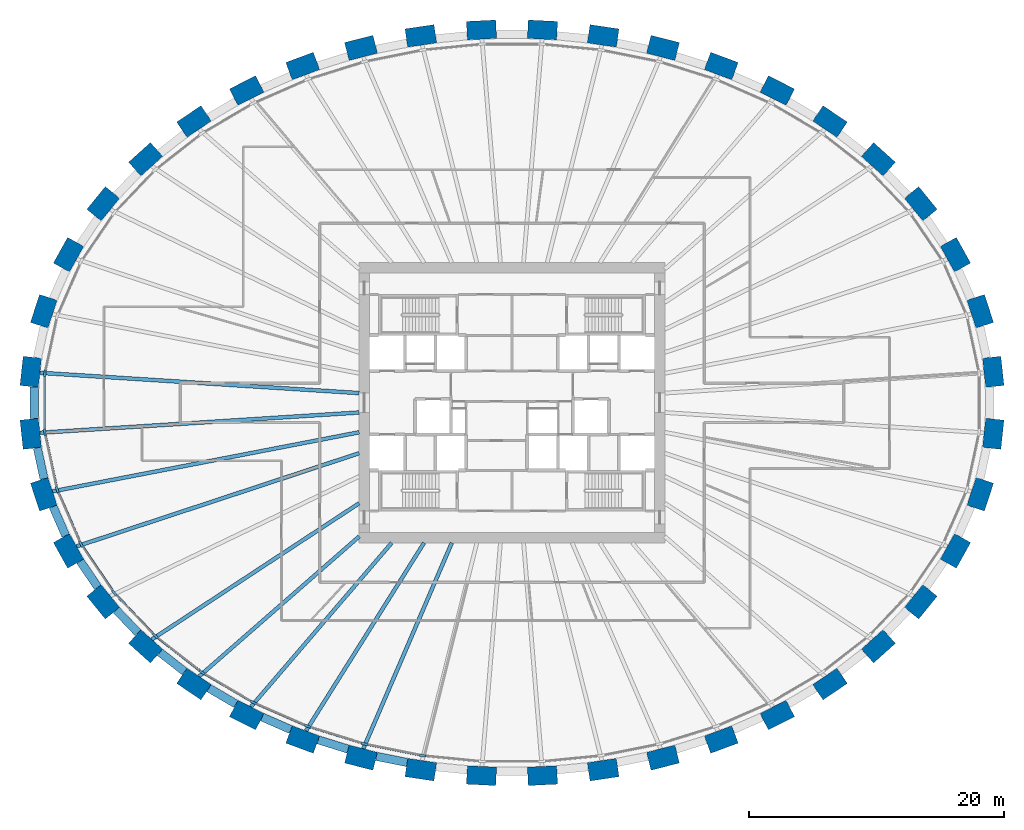
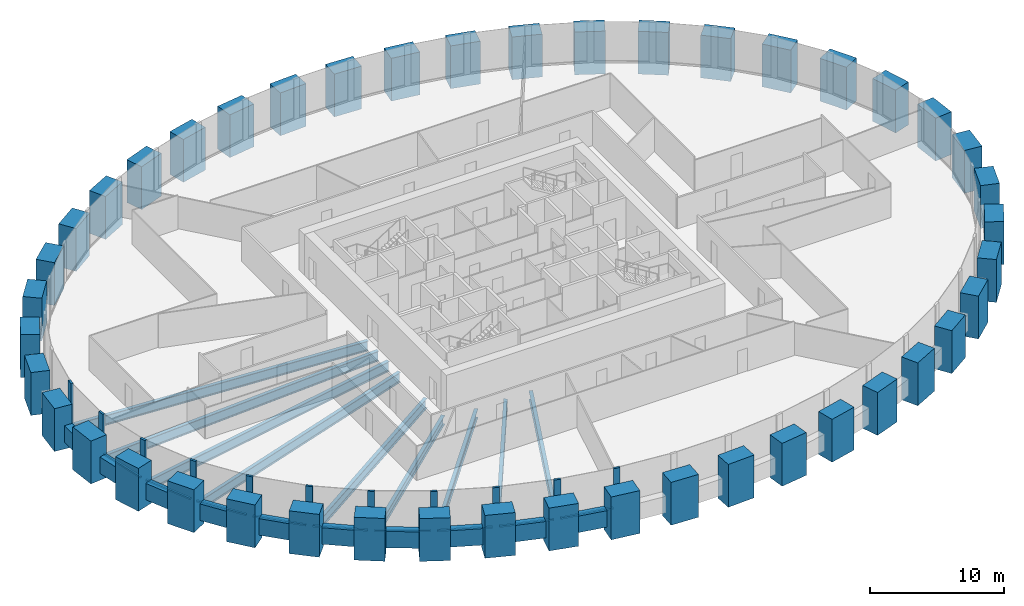
# One storey, part 1 of 10: 44 columns, 21 members, 19 beams, 1 element without a shape of its own.
"""IFC4 building model written with IfcOpenShell, lengths in metres."""

from ifc_helpers import new_model, si_unit, direction, frame, origin, origin_2d, place, context, subcontext, project, spatial, rectangle, i_section, extrude, source, transform, mapped, material, material_profile, profile_set, type_object, element, aggregate, save


model = new_model("IFC4")

# Units and contexts
model_context = context("Model", 3, precision=1e-05, world=origin(), true_north=direction((0.0, 1.0)))
body_context = subcontext(model_context, "Body", "Model", "MODEL_VIEW")
ifc_project = project(units=[si_unit("LENGTHUNIT", "METRE"), si_unit("AREAUNIT", "SQUARE_METRE"), si_unit("VOLUMEUNIT", "CUBIC_METRE"), si_unit("PLANEANGLEUNIT", "RADIAN"), si_unit("MASSUNIT", "GRAM", prefix="KILO")], contexts=[model_context])

# Site, building, storey
site_placement = place(None, origin())
site = spatial("IfcSite", under=ifc_project, at=site_placement, CompositionType="ELEMENT")
building_placement = place(site_placement, origin())
building = spatial("IfcBuilding", under=site, at=building_placement, Name="Embergate Tower", CompositionType="ELEMENT")
storey_placement = place(building_placement, frame((0.0, 0.0, 156.0)))
storey = spatial("IfcBuildingStorey", under=building, at=storey_placement, Name="L34", CompositionType="ELEMENT", Elevation=156.0)

# Columns
ifc_material_1 = material(Name="Concrete C70", Category="concrete")
ifc_material_profile_1 = material_profile(ifc_material_1, rectangle(XDim=1.449951171875, YDim=2.300048828125, at=origin_2d()), Name="RC 1450x2300")
ifc_profile_set_1 = profile_set([ifc_material_profile_1], Name="Concrete C70")
column_type = type_object("IfcColumnType", Name="Ring column RC 1450x2300 C70", PredefinedType="COLUMN", material=ifc_profile_set_1)
shared_shape_1 = source(origin(), body_context, "Body", "SweptSolid", [
    extrude(rectangle(XDim=1.449951171875, YDim=2.300048828125, at=origin_2d()), origin(), (0.0, 0.0, 1.0), 3.89990234375),
])
for number, where, z_axis, x_axis, name in (
    (1, (37.7919921875, 2.431884765625, -1.39990234375), (0.0, 0.0, 1.0), (0.99428589498, 0.106749983816, 0.0), "COL-L34-00"),
    (2, (36.76904296875, 7.18408203125, -1.39990234375), (0.0, 0.0, 1.0), (0.950754033697, 0.309946394413, 0.0), "COL-L34-01"),
    (3, (34.821044921875, 11.6279296875, -1.39990234375), (0.0, 0.0, 1.0), (0.873491969053, 0.486838556403, 0.0), "COL-L34-02"),
    (4, (32.10009765625, 15.62890625, -1.39990234375), (0.0, 0.0, 1.0), (0.775914301615, 0.630838328377, 0.0), "COL-L34-03"),
    (5, (28.76904296875, 19.1220703125, -1.39990234375), (0.0, 0.0, 1.0), (0.669208424634, 0.74307475021, 0.0), "COL-L34-04"),
    (6, (24.972900390625, 22.0849609375, -1.39990234375), (0.0, 0.0, 1.0), (0.560393279442, 0.828226643109, 0.0), "COL-L34-05"),
    (7, (20.830078125, 24.52099609375, -1.39990234375), (0.0, 0.0, 1.0), (0.452994952881, 0.891513080478, 0.0), "COL-L34-06"),
    (8, (16.43310546875, 26.444091796875, -1.39990234375), (0.0, 0.0, 1.0), (0.348343015724, 0.93736713373, 0.0), "COL-L34-07"),
    (9, (11.85595703125, 27.868896484375, -1.39990234375), (0.0, 0.0, 1.0), (0.246491603437, 0.969144926951, 0.0), "COL-L34-08"),
    (10, (7.158935546875, 28.81103515625, -1.39990234375), (0.0, 0.0, 1.0), (0.146929011949, 0.989147039346, 0.0), "COL-L34-09"),
    (11, (2.39404296875, 29.280029296875, -1.39990234375), (0.0, 0.0, 1.0), (0.048814904854, 0.998807841912, 0.0), "COL-L34-10"),
    (12, (-2.39404296875, 29.280029296875, -1.39990234375), (0.0, 0.0, 1.0), (-0.048814904854, 0.998807841912, 0.0), "COL-L34-11"),
    (13, (-7.158935546875, 28.81103515625, -1.39990234375), (0.0, 0.0, 1.0), (-0.146929011949, 0.989147039346, 0.0), "COL-L34-12"),
    (14, (-11.85595703125, 27.868896484375, -1.39990234375), (0.0, 0.0, 1.0), (-0.246491603437, 0.969144926951, 0.0), "COL-L34-13"),
    (15, (-16.43310546875, 26.444091796875, -1.39990234375), (0.0, 0.0, 1.0), (-0.348343015724, 0.93736713373, 0.0), "COL-L34-14"),
    (16, (-20.830078125, 24.52099609375, -1.39990234375), (0.0, 0.0, 1.0), (-0.452994952881, 0.891513080478, 0.0), "COL-L34-15"),
    (17, (-24.972900390625, 22.0849609375, -1.39990234375), (0.0, 0.0, 1.0), (-0.560393279442, 0.828226643109, 0.0), "COL-L34-16"),
    (18, (-28.76904296875, 19.1220703125, -1.39990234375), (0.0, 0.0, 1.0), (-0.669208424634, 0.74307475021, 0.0), "COL-L34-17"),
    (19, (-32.10009765625, 15.62890625, -1.39990234375), (0.0, 0.0, 1.0), (-0.775914301615, 0.630838328377, 0.0), "COL-L34-18"),
    (20, (-34.821044921875, 11.6279296875, -1.39990234375), (0.0, 0.0, 1.0), (-0.873491969053, 0.486838556403, 0.0), "COL-L34-19"),
    (21, (-36.76904296875, 7.18408203125, -1.39990234375), (0.0, 0.0, 1.0), (-0.950754033697, 0.309946394413, 0.0), "COL-L34-20"),
    (22, (-37.7919921875, 2.431884765625, -1.39990234375), (0.0, 0.0, 1.0), (-0.99428589498, 0.106749983816, 0.0), "COL-L34-21"),
    (23, (-37.7919921875, -2.431884765625, -1.39990234375), (0.0, 0.0, 1.0), (-0.99428589498, -0.106749983816, 0.0), "COL-L34-22"),
    (24, (-36.76904296875, -7.18408203125, -1.39990234375), (0.0, 0.0, 1.0), (-0.950754033697, -0.309946394413, 0.0), "COL-L34-23"),
    (25, (-34.821044921875, -11.6279296875, -1.39990234375), (0.0, 0.0, 1.0), (-0.873491969053, -0.486838556403, 0.0), "COL-L34-24"),
    (26, (-32.10009765625, -15.62890625, -1.39990234375), (0.0, 0.0, 1.0), (-0.775914301615, -0.630838328377, 0.0), "COL-L34-25"),
    (27, (-28.76904296875, -19.1220703125, -1.39990234375), (0.0, 0.0, 1.0), (-0.669208424634, -0.74307475021, 0.0), "COL-L34-26"),
    (28, (-24.972900390625, -22.0849609375, -1.39990234375), (0.0, 0.0, 1.0), (-0.560393279442, -0.828226643109, 0.0), "COL-L34-27"),
    (29, (-20.830078125, -24.52099609375, -1.39990234375), (0.0, 0.0, 1.0), (-0.452994952881, -0.891513080478, 0.0), "COL-L34-28"),
    (30, (-16.43310546875, -26.444091796875, -1.39990234375), (0.0, 0.0, 1.0), (-0.348343015724, -0.93736713373, 0.0), "COL-L34-29"),
    (31, (-11.85595703125, -27.868896484375, -1.39990234375), (0.0, 0.0, 1.0), (-0.246491603437, -0.969144926951, 0.0), "COL-L34-30"),
    (32, (-7.158935546875, -28.81103515625, -1.39990234375), (0.0, 0.0, 1.0), (-0.146929011949, -0.989147039346, 0.0), "COL-L34-31"),
    (33, (-2.39404296875, -29.280029296875, -1.39990234375), (0.0, 0.0, 1.0), (-0.048814904854, -0.998807841912, 0.0), "COL-L34-32"),
    (34, (2.39404296875, -29.280029296875, -1.39990234375), (0.0, 0.0, 1.0), (0.048814904854, -0.998807841912, 0.0), "COL-L34-33"),
    (35, (7.158935546875, -28.81103515625, -1.39990234375), (0.0, 0.0, 1.0), (0.146929011949, -0.989147039346, 0.0), "COL-L34-34"),
    (36, (11.85595703125, -27.868896484375, -1.39990234375), (0.0, 0.0, 1.0), (0.246491603437, -0.969144926951, 0.0), "COL-L34-35"),
    (37, (16.43310546875, -26.444091796875, -1.39990234375), (0.0, 0.0, 1.0), (0.348343015724, -0.93736713373, 0.0), "COL-L34-36"),
    (38, (20.830078125, -24.52099609375, -1.39990234375), (0.0, 0.0, 1.0), (0.452994952881, -0.891513080478, 0.0), "COL-L34-37"),
    (39, (24.972900390625, -22.0849609375, -1.39990234375), (0.0, 0.0, 1.0), (0.560393279442, -0.828226643109, 0.0), "COL-L34-38"),
    (40, (28.76904296875, -19.1220703125, -1.39990234375), (0.0, 0.0, 1.0), (0.669208424634, -0.74307475021, 0.0), "COL-L34-39"),
    (41, (32.10009765625, -15.62890625, -1.39990234375), (0.0, 0.0, 1.0), (0.775914301615, -0.630838328377, 0.0), "COL-L34-40"),
    (42, (34.821044921875, -11.6279296875, -1.39990234375), (0.0, 0.0, 1.0), (0.873491969053, -0.486838556403, 0.0), "COL-L34-41"),
    (43, (36.76904296875, -7.18408203125, -1.39990234375), (0.0, 0.0, 1.0), (0.950754033697, -0.309946394413, 0.0), "COL-L34-42"),
    (44, (37.7919921875, -2.431884765625, -1.39990234375), (0.0, 0.0, 1.0), (0.99428589498, -0.106749983816, 0.0), "COL-L34-43"),
):
    element("IfcColumn", number, at=place(storey_placement, frame(where, z_axis=z_axis, x_axis=x_axis)), inside=storey, type_object=column_type, Name=name, PredefinedType="COLUMN", context=body_context, shape_type="MappedRepresentation", body=[
        mapped(shared_shape_1, transform((0.0, 0.0, 0.0))),
    ])

# Beams
ifc_material_profile_2 = material_profile(ifc_material_1, rectangle(XDim=0.64990234375, YDim=1.5, at=origin_2d()), Name="RC 650x1500")
ifc_profile_set_2 = profile_set([ifc_material_profile_2], Name="Concrete C70")
beam_type_1 = type_object("IfcBeamType", Name="Spandrel beam RC 650x1500 C70", PredefinedType="BEAM", material=ifc_profile_set_2)
shared_shape_2 = source(origin(), body_context, "Body", "SweptSolid", [
    extrude(rectangle(XDim=0.64990234375, YDim=1.5, at=origin_2d()), origin(), (0.0, 0.0, 1.0), 2.490966796875),
])
beam_1_placement = place(storey_placement, frame((-37.27294921875, -3.532958984375, 0.0), z_axis=(0.210720345789, -0.977546385534, 0.0), x_axis=(0.977546385534, 0.210720345789, 0.0)))
element("IfcBeam", 45, at=beam_1_placement, inside=storey, type_object=beam_type_1, Name="SPN-L34-22", PredefinedType="BEAM", context=body_context, shape_type="MappedRepresentation", body=[
    mapped(shared_shape_2, transform((0.0, 0.0, 0.0))),
])
shared_shape_3 = source(origin(), body_context, "Body", "SweptSolid", [
    extrude(rectangle(XDim=0.64990234375, YDim=1.5, at=origin_2d()), origin(), (0.0, 0.0, 1.0), 2.48828125),
])
beam_2_placement = place(storey_placement, frame((-36.041015625, -8.156005859375, 0.0), z_axis=(0.401472379967, -0.91587113074, 0.0), x_axis=(0.91587113074, 0.401472379967, 0.0)))
element("IfcBeam", 46, at=beam_2_placement, inside=storey, type_object=beam_type_1, Name="SPN-L34-23", PredefinedType="BEAM", context=body_context, shape_type="MappedRepresentation", body=[
    mapped(shared_shape_3, transform((0.0, 0.0, 0.0))),
])
shared_shape_4 = source(origin(), body_context, "Body", "SweptSolid", [
    extrude(rectangle(XDim=0.64990234375, YDim=1.5, at=origin_2d()), origin(), (0.0, 0.0, 1.0), 2.4775390625),
])
beam_3_placement = place(storey_placement, frame((-33.910888671875, -12.43701171875, 0.0), z_axis=(0.562159078618, -0.827029123022, 0.0), x_axis=(0.827029123022, 0.562159078618, 0.0)))
element("IfcBeam", 47, at=beam_3_placement, inside=storey, type_object=beam_type_1, Name="SPN-L34-24", PredefinedType="BEAM", context=body_context, shape_type="MappedRepresentation", body=[
    mapped(shared_shape_4, transform((0.0, 0.0, 0.0))),
])
shared_shape_5 = source(origin(), body_context, "Body", "SweptSolid", [
    extrude(rectangle(XDim=0.64990234375, YDim=1.5, at=origin_2d()), origin(), (0.0, 0.0, 1.0), 2.473388671875),
])
beam_4_placement = place(storey_placement, frame((-31.072021484375, -16.27490234375, 0.0), z_axis=(0.69012823406, -0.723687101276, 0.0), x_axis=(0.723687101276, 0.69012823406, 0.0)))
element("IfcBeam", 48, at=beam_4_placement, inside=storey, type_object=beam_type_1, Name="SPN-L34-25", PredefinedType="BEAM", context=body_context, shape_type="MappedRepresentation", body=[
    mapped(shared_shape_5, transform((0.0, 0.0, 0.0))),
])
shared_shape_6 = source(origin(), body_context, "Body", "SweptSolid", [
    extrude(rectangle(XDim=0.64990234375, YDim=1.5, at=origin_2d()), origin(), (0.0, 0.0, 1.0), 2.466552734375),
])
beam_5_placement = place(storey_placement, frame((-27.64697265625, -19.593994140625, 0.0), z_axis=(0.788172909908, -0.615453868367, 0.0), x_axis=(0.615453868367, 0.788172909908, 0.0)))
element("IfcBeam", 49, at=beam_5_placement, inside=storey, type_object=beam_type_1, Name="SPN-L34-26", PredefinedType="BEAM", context=body_context, shape_type="MappedRepresentation", body=[
    mapped(shared_shape_6, transform((0.0, 0.0, 0.0))),
])
shared_shape_7 = source(origin(), body_context, "Body", "SweptSolid", [
    extrude(rectangle(XDim=0.64990234375, YDim=1.5, at=origin_2d()), origin(), (0.0, 0.0, 1.0), 2.46142578125),
])
beam_6_placement = place(storey_placement, frame((-23.801025390625, -22.405029296875, 0.0), z_axis=(0.86214832468, -0.506655964389, 0.0), x_axis=(0.506655964389, 0.86214832468, 0.0)))
element("IfcBeam", 50, at=beam_6_placement, inside=storey, type_object=beam_type_1, Name="SPN-L34-27", PredefinedType="BEAM", context=body_context, shape_type="MappedRepresentation", body=[
    mapped(shared_shape_7, transform((0.0, 0.0, 0.0))),
])
shared_shape_8 = source(origin(), body_context, "Body", "SweptSolid", [
    extrude(rectangle(XDim=0.64990234375, YDim=1.5, at=origin_2d()), origin(), (0.0, 0.0, 1.0), 2.456787109375),
])
beam_7_placement = place(storey_placement, frame((-19.62109375, -24.679931640625, 0.0), z_axis=(0.916257660854, -0.40058943936, 0.0), x_axis=(0.40058943936, 0.916257660854, 0.0)))
element("IfcBeam", 51, at=beam_7_placement, inside=storey, type_object=beam_type_1, Name="SPN-L34-28", PredefinedType="BEAM", context=body_context, shape_type="MappedRepresentation", body=[
    mapped(shared_shape_8, transform((0.0, 0.0, 0.0))),
])
shared_shape_9 = source(origin(), body_context, "Body", "SweptSolid", [
    extrude(rectangle(XDim=0.64990234375, YDim=1.5, at=origin_2d()), origin(), (0.0, 0.0, 1.0), 2.4541015625),
])
beam_8_placement = place(storey_placement, frame((-15.215087890625, -26.468017578125, 0.0), z_axis=(0.954736297307, -0.29745353016, 0.0), x_axis=(0.29745353016, 0.954736297307, 0.0)))
element("IfcBeam", 52, at=beam_8_placement, inside=storey, type_object=beam_type_1, Name="SPN-L34-29", PredefinedType="BEAM", context=body_context, shape_type="MappedRepresentation", body=[
    mapped(shared_shape_9, transform((0.0, 0.0, 0.0))),
])
shared_shape_10 = source(origin(), body_context, "Body", "SweptSolid", [
    extrude(rectangle(XDim=0.64990234375, YDim=1.5, at=origin_2d()), origin(), (0.0, 0.0, 1.0), 2.453125),
])
beam_9_placement = place(storey_placement, frame((-10.64306640625, -27.76611328125, 0.0), z_axis=(0.980431102511, -0.196862523679, 0.0), x_axis=(0.196862523679, 0.980431102511, 0.0)))
element("IfcBeam", 53, at=beam_9_placement, inside=storey, type_object=beam_type_1, Name="SPN-L34-30", PredefinedType="BEAM", context=body_context, shape_type="MappedRepresentation", body=[
    mapped(shared_shape_10, transform((0.0, 0.0, 0.0))),
])
shared_shape_11 = source(origin(), body_context, "Body", "SweptSolid", [
    extrude(rectangle(XDim=0.64990234375, YDim=1.5, at=origin_2d()), origin(), (0.0, 0.0, 1.0), 2.4921875),
])
beam_10_placement = place(storey_placement, frame((-37.51611328125, 1.24609375, 0.0), z_axis=(0.0, -1.0, 0.0), x_axis=(1.0, 0.0, 0.0)))
element("IfcBeam", 54, at=beam_10_placement, inside=storey, type_object=beam_type_1, Name="SPN-L34-21", PredefinedType="BEAM", context=body_context, shape_type="MappedRepresentation", body=[
    mapped(shared_shape_11, transform((0.0, 0.0, 0.0))),
])
ifc_material_2 = material(Name="Steel Q355B", Category="steel")
ifc_material_profile_3 = material_profile(ifc_material_2, i_section(OverallWidth=0.300048828125, OverallDepth=0.89990234375, WebThickness=0.01611328125, FlangeThickness=0.028076171875, FilletRadius=0.028076171875, at=origin_2d()), Name="HN 900x300x16x28")
ifc_profile_set_3 = profile_set([ifc_material_profile_3], Name="Steel Q355 grade B")
beam_type_2 = type_object("IfcBeamType", Name="Radial girder HN 900x300x16x28", PredefinedType="BEAM", material=ifc_profile_set_3)
shared_shape_12 = source(origin(), body_context, "Body", "SweptSolid", [
    extrude(i_section(OverallWidth=0.300048828125, OverallDepth=0.89990234375, WebThickness=0.01611328125, FlangeThickness=0.028076171875, FilletRadius=0.028076171875, at=origin_2d()), origin(), (0.0, 0.0, 1.0), 25.12158203125),
])
for number, where, z_axis, x_axis, name in (
    (55, (-37.071044921875, 2.35498046875, -0.64990234375), (0.9979874177, -0.063412255217, 0.0), (0.063412255217, 0.9979874177, 0.0), "GIR-L34-21"),
    (56, (-37.071044921875, -2.35498046875, -0.64990234375), (0.9979874177, 0.063412255217, 0.0), (-0.063412255217, 0.9979874177, 0.0), "GIR-L34-22"),
):
    element("IfcBeam", number, at=place(storey_placement, frame(where, z_axis=z_axis, x_axis=x_axis)), inside=storey, type_object=beam_type_2, Name=name, PredefinedType="BEAM", context=body_context, shape_type="MappedRepresentation", body=[
        mapped(shared_shape_12, transform((0.0, 0.0, 0.0))),
    ])
shared_shape_13 = source(origin(), body_context, "Body", "SweptSolid", [
    extrude(i_section(OverallWidth=0.300048828125, OverallDepth=0.89990234375, WebThickness=0.01611328125, FlangeThickness=0.028076171875, FilletRadius=0.028076171875, at=origin_2d()), origin(), (0.0, 0.0, 1.0), 24.52392578125),
])
beam_11_placement = place(storey_placement, frame((-36.080078125, -6.958984375, -0.64990234375), z_axis=(0.981906046022, 0.189368732333, 0.0), x_axis=(-0.189368732333, 0.981906046022, 0.0)))
element("IfcBeam", 57, at=beam_11_placement, inside=storey, type_object=beam_type_2, Name="GIR-L34-23", PredefinedType="BEAM", context=body_context, shape_type="MappedRepresentation", body=[
    mapped(shared_shape_13, transform((0.0, 0.0, 0.0))),
])
shared_shape_14 = source(origin(), body_context, "Body", "SweptSolid", [
    extrude(i_section(OverallWidth=0.300048828125, OverallDepth=0.89990234375, WebThickness=0.01611328125, FlangeThickness=0.028076171875, FilletRadius=0.028076171875, at=origin_2d()), origin(), (0.0, 0.0, 1.0), 23.36328125),
])
beam_12_placement = place(storey_placement, frame((-34.18798828125, -11.27490234375, -0.64990234375), z_axis=(0.949694119995, 0.313178987877, 0.0), x_axis=(-0.313178987877, 0.949694119995, 0.0)))
element("IfcBeam", 58, at=beam_12_placement, inside=storey, type_object=beam_type_2, Name="GIR-L34-24", PredefinedType="BEAM", context=body_context, shape_type="MappedRepresentation", body=[
    mapped(shared_shape_14, transform((0.0, 0.0, 0.0))),
])
shared_shape_15 = source(origin(), body_context, "Body", "SweptSolid", [
    extrude(i_section(OverallWidth=0.300048828125, OverallDepth=0.89990234375, WebThickness=0.01611328125, FlangeThickness=0.028076171875, FilletRadius=0.028076171875, at=origin_2d()), origin(), (0.0, 0.0, 1.0), 19.484130859375),
])
beam_13_placement = place(storey_placement, frame((-28.283935546875, -18.5830078125, -0.64990234375), z_axis=(0.835750168369, 0.549109876137, 0.0), x_axis=(-0.549109876137, 0.835750168369, 0.0)))
element("IfcBeam", 59, at=beam_13_placement, inside=storey, type_object=beam_type_2, Name="GIR-L34-26", PredefinedType="BEAM", context=body_context, shape_type="MappedRepresentation", body=[
    mapped(shared_shape_15, transform((0.0, 0.0, 0.0))),
])
ifc_material_profile_4 = material_profile(ifc_material_2, i_section(OverallWidth=0.300048828125, OverallDepth=0.800048828125, WebThickness=0.013916015625, FlangeThickness=0.02587890625, FilletRadius=0.028076171875, at=origin_2d()), Name="HN 800x300x14x26")
ifc_profile_set_4 = profile_set([ifc_material_profile_4], Name="Steel Q355 grade B")
beam_type_3 = type_object("IfcBeamType", Name="Radial girder HN 800x300x14x26", PredefinedType="BEAM", material=ifc_profile_set_4)
shared_shape_16 = source(origin(), body_context, "Body", "SweptSolid", [
    extrude(i_section(OverallWidth=0.300048828125, OverallDepth=0.800048828125, WebThickness=0.013916015625, FlangeThickness=0.02587890625, FilletRadius=0.028076171875, at=origin_2d()), origin(), (0.0, 0.0, 1.0), 16.6953125),
])
beam_14_placement = place(storey_placement, frame((-24.56689453125, -21.485107421875, -0.60009765625), z_axis=(0.752719804108, 0.658341018397, 0.0), x_axis=(-0.658341018397, 0.752719804108, 0.0)))
element("IfcBeam", 60, at=beam_14_placement, inside=storey, type_object=beam_type_3, Name="GIR-L34-27", PredefinedType="BEAM", context=body_context, shape_type="MappedRepresentation", body=[
    mapped(shared_shape_16, transform((0.0, 0.0, 0.0))),
])
shared_shape_17 = source(origin(), body_context, "Body", "SweptSolid", [
    extrude(i_section(OverallWidth=0.300048828125, OverallDepth=0.800048828125, WebThickness=0.013916015625, FlangeThickness=0.02587890625, FilletRadius=0.028076171875, at=origin_2d()), origin(), (0.0, 0.0, 1.0), 16.970458984375),
])
beam_15_placement = place(storey_placement, frame((-20.501953125, -23.875, -0.60009765625), z_axis=(0.651477073616, 0.758668321833, 0.0), x_axis=(-0.758668321833, 0.651477073616, 0.0)))
element("IfcBeam", 61, at=beam_15_placement, inside=storey, type_object=beam_type_3, Name="GIR-L34-28", PredefinedType="BEAM", context=body_context, shape_type="MappedRepresentation", body=[
    mapped(shared_shape_17, transform((0.0, 0.0, 0.0))),
])
shared_shape_18 = source(origin(), body_context, "Body", "SweptSolid", [
    extrude(i_section(OverallWidth=0.300048828125, OverallDepth=0.800048828125, WebThickness=0.013916015625, FlangeThickness=0.02587890625, FilletRadius=0.028076171875, at=origin_2d()), origin(), (0.0, 0.0, 1.0), 17.433837890625),
])
beam_16_placement = place(storey_placement, frame((-16.179931640625, -25.763916015625, -0.60009765625), z_axis=(0.531834233156, 0.846848480216, 0.0), x_axis=(-0.846848480216, 0.531834233156, 0.0)))
element("IfcBeam", 62, at=beam_16_placement, inside=storey, type_object=beam_type_3, Name="GIR-L34-29", PredefinedType="BEAM", context=body_context, shape_type="MappedRepresentation", body=[
    mapped(shared_shape_18, transform((0.0, 0.0, 0.0))),
])
shared_shape_19 = source(origin(), body_context, "Body", "SweptSolid", [
    extrude(i_section(OverallWidth=0.300048828125, OverallDepth=0.800048828125, WebThickness=0.013916015625, FlangeThickness=0.02587890625, FilletRadius=0.028076171875, at=origin_2d()), origin(), (0.0, 0.0, 1.0), 17.59619140625),
])
beam_17_placement = place(storey_placement, frame((-11.677001953125, -27.166015625, -0.60009765625), z_axis=(0.394912057755, 0.918718926898, 0.0), x_axis=(-0.918718926898, 0.394912057755, 0.0)))
element("IfcBeam", 63, at=beam_17_placement, inside=storey, type_object=beam_type_3, Name="GIR-L34-30", PredefinedType="BEAM", context=body_context, shape_type="MappedRepresentation", body=[
    mapped(shared_shape_19, transform((0.0, 0.0, 0.0))),
])

# Curtain wall, members
ifc_material_3 = material(Name="Aluminium and glass", Category="aluminium")
curtain_wall_type = type_object("IfcCurtainWallType", Name="Recessed office glazing", PredefinedType="NOTDEFINED", material=ifc_material_3)
curtain_wall_placement = place(storey_placement, origin())
curtain_wall = element("IfcCurtainWall", 64, at=curtain_wall_placement, inside=storey, type_object=curtain_wall_type, Name="Recessed office glazing ring", ObjectType="RECESSED OFFICE GLAZING", PredefinedType="USERDEFINED")
ifc_material_4 = material(Name="Aluminium, thermally broken", Category="aluminium")
ifc_material_profile_5 = material_profile(ifc_material_4, rectangle(XDim=0.179931640625, YDim=0.52001953125, at=origin_2d()), Name="AL 520x180")
ifc_profile_set_5 = profile_set([ifc_material_profile_5], Name="Aluminium, thermally broken")
member_type_1 = type_object("IfcMemberType", Name="Office mullion", PredefinedType="MULLION", material=ifc_profile_set_5)
shared_shape_20 = source(origin(), body_context, "Body", "SweptSolid", [
    extrude(rectangle(XDim=0.179931640625, YDim=0.52001953125, at=origin_2d()), origin(), (0.0, 0.0, 1.0), 3.699951171875),
])
member_1_placement = place(storey_placement, frame((-36.68310546875, 2.313232421875, 0.0), z_axis=(0.0, 0.0, 1.0), x_axis=(0.994384954736, -0.105823257345, 0.0)))
member_1 = element("IfcMember", 65, at=member_1_placement, type_object=member_type_1, Name="CW mullion 22", PredefinedType="MULLION", context=body_context, shape_type="MappedRepresentation", body=[
    mapped(shared_shape_20, transform((0.0, 0.0, 0.0))),
])
member_2_placement = place(storey_placement, frame((-36.68310546875, -2.313232421875, 0.0), z_axis=(0.0, 0.0, 1.0), x_axis=(0.994384954736, 0.105823257345, 0.0)))
member_2 = element("IfcMember", 66, at=member_2_placement, type_object=member_type_1, Name="CW mullion 23", PredefinedType="MULLION", context=body_context, shape_type="MappedRepresentation", body=[
    mapped(shared_shape_20, transform((0.0, 0.0, 0.0))),
])
member_3_placement = place(storey_placement, frame((-35.708984375, -6.8388671875, 0.0), z_axis=(0.0, 0.0, 1.0), x_axis=(0.951498334951, 0.307653894149, 0.0)))
member_3 = element("IfcMember", 67, at=member_3_placement, type_object=member_type_1, Name="CW mullion 24", PredefinedType="MULLION", context=body_context, shape_type="MappedRepresentation", body=[
    mapped(shared_shape_20, transform((0.0, 0.0, 0.0))),
])
member_4_placement = place(storey_placement, frame((-33.846923828125, -11.084716796875, 0.0), z_axis=(0.0, 0.0, 1.0), x_axis=(0.875001895832, 0.484119491748, 0.0)))
member_4 = element("IfcMember", 68, at=member_4_placement, type_object=member_type_1, Name="CW mullion 25", PredefinedType="MULLION", context=body_context, shape_type="MappedRepresentation", body=[
    mapped(shared_shape_20, transform((0.0, 0.0, 0.0))),
])
member_5_placement = place(storey_placement, frame((-31.23486328125, -14.92578125, 0.0), z_axis=(0.0, 0.0, 1.0), x_axis=(0.777872564355, 0.628422050555, 0.0)))
member_5 = element("IfcMember", 69, at=member_5_placement, type_object=member_type_1, Name="CW mullion 26", PredefinedType="MULLION", context=body_context, shape_type="MappedRepresentation", body=[
    mapped(shared_shape_20, transform((0.0, 0.0, 0.0))),
])
member_6_placement = place(storey_placement, frame((-28.023193359375, -18.29345703125, 0.0), z_axis=(0.0, 0.0, 1.0), x_axis=(0.671226533956, 0.741252278319, 0.0)))
member_6 = element("IfcMember", 70, at=member_6_placement, type_object=member_type_1, Name="CW mullion 27", PredefinedType="MULLION", context=body_context, shape_type="MappedRepresentation", body=[
    mapped(shared_shape_20, transform((0.0, 0.0, 0.0))),
])
member_7_placement = place(storey_placement, frame((-24.3486328125, -21.161376953125, 0.0), z_axis=(0.0, 0.0, 1.0), x_axis=(0.562217618544, 0.826989328467, 0.0)))
member_7 = element("IfcMember", 71, at=member_7_placement, type_object=member_type_1, Name="CW mullion 28", PredefinedType="MULLION", context=body_context, shape_type="MappedRepresentation", body=[
    mapped(shared_shape_20, transform((0.0, 0.0, 0.0))),
])
member_8_placement = place(storey_placement, frame((-20.3251953125, -23.52685546875, 0.0), z_axis=(0.0, 0.0, 1.0), x_axis=(0.454511380526, 0.890740930334, 0.0)))
member_8 = element("IfcMember", 72, at=member_8_placement, type_object=member_type_1, Name="CW mullion 29", PredefinedType="MULLION", context=body_context, shape_type="MappedRepresentation", body=[
    mapped(shared_shape_20, transform((0.0, 0.0, 0.0))),
])
member_9_placement = place(storey_placement, frame((-16.044921875, -25.3984375, 0.0), z_axis=(0.0, 0.0, 1.0), x_axis=(0.349502682851, 0.936935363128, 0.0)))
member_9 = element("IfcMember", 73, at=member_9_placement, type_object=member_type_1, Name="CW mullion 30", PredefinedType="MULLION", context=body_context, shape_type="MappedRepresentation", body=[
    mapped(shared_shape_20, transform((0.0, 0.0, 0.0))),
])
member_10_placement = place(storey_placement, frame((-11.581298828125, -26.78857421875, 0.0), z_axis=(0.0, 0.0, 1.0), x_axis=(0.24731188137, 0.968935928394, 0.0)))
member_10 = element("IfcMember", 74, at=member_10_placement, type_object=member_type_1, Name="CW mullion 31", PredefinedType="MULLION", context=body_context, shape_type="MappedRepresentation", body=[
    mapped(shared_shape_20, transform((0.0, 0.0, 0.0))),
])
member_11_placement = place(storey_placement, frame((-6.99560546875, -27.708251953125, 0.0), z_axis=(0.0, 0.0, 1.0), x_axis=(0.147412382818, 0.989075118174, 0.0)))
member_11 = element("IfcMember", 75, at=member_11_placement, type_object=member_type_1, Name="CW mullion 32", PredefinedType="MULLION", context=body_context, shape_type="MappedRepresentation", body=[
    mapped(shared_shape_20, transform((0.0, 0.0, 0.0))),
])
ifc_material_profile_6 = material_profile(ifc_material_4, rectangle(XDim=0.179931640625, YDim=0.14990234375, at=origin_2d()), Name="AL 150x180")
ifc_profile_set_6 = profile_set([ifc_material_profile_6], Name="Aluminium, thermally broken")
member_type_2 = type_object("IfcMemberType", Name="Office sill transom", PredefinedType="USERDEFINED", material=ifc_profile_set_6)
shared_shape_21 = source(origin(), body_context, "Body", "SweptSolid", [
    extrude(rectangle(XDim=0.179931640625, YDim=0.14990234375, at=origin_2d()), origin(), (0.0, 0.0, 1.0), 4.109375),
])
member_12_placement = place(storey_placement, frame((-36.62841796875, -2.5673828125, 0.074951171875), z_axis=(0.210377003976, -0.97762033336, 0.0), x_axis=(0.97762033336, 0.210377003976, 0.0)))
member_12 = element("IfcMember", 76, at=member_12_placement, type_object=member_type_2, Name="CW transom 23.1", ObjectType="TRANSOM", PredefinedType="USERDEFINED", context=body_context, shape_type="MappedRepresentation", body=[
    mapped(shared_shape_21, transform((0.0, 0.0, 0.0))),
])
shared_shape_22 = source(origin(), body_context, "Body", "SweptSolid", [
    extrude(rectangle(XDim=0.179931640625, YDim=0.14990234375, at=origin_2d()), origin(), (0.0, 0.0, 1.0), 4.1162109375),
])
member_13_placement = place(storey_placement, frame((-35.6044921875, -7.076904296875, 0.074951171875), z_axis=(0.401593425876, -0.915818060694, 0.0), x_axis=(0.915818060694, 0.401593425876, 0.0)))
member_13 = element("IfcMember", 77, at=member_13_placement, type_object=member_type_2, Name="CW transom 24.1", ObjectType="TRANSOM", PredefinedType="USERDEFINED", context=body_context, shape_type="MappedRepresentation", body=[
    mapped(shared_shape_22, transform((0.0, 0.0, 0.0))),
])
shared_shape_23 = source(origin(), body_context, "Body", "SweptSolid", [
    extrude(rectangle(XDim=0.179931640625, YDim=0.14990234375, at=origin_2d()), origin(), (0.0, 0.0, 1.0), 4.124755859375),
])
member_14_placement = place(storey_placement, frame((-33.70068359375, -11.2998046875, 0.074951171875), z_axis=(0.562339161446, -0.826906686092, 0.0), x_axis=(0.826906686092, 0.562339161446, 0.0)))
member_14 = element("IfcMember", 78, at=member_14_placement, type_object=member_type_2, Name="CW transom 25.1", ObjectType="TRANSOM", PredefinedType="USERDEFINED", context=body_context, shape_type="MappedRepresentation", body=[
    mapped(shared_shape_23, transform((0.0, 0.0, 0.0))),
])
shared_shape_24 = source(origin(), body_context, "Body", "SweptSolid", [
    extrude(rectangle(XDim=0.179931640625, YDim=0.14990234375, at=origin_2d()), origin(), (0.0, 0.0, 1.0), 4.133544921875),
])
member_15_placement = place(storey_placement, frame((-31.055419921875, -15.11376953125, 0.074951171875), z_axis=(0.690134325915, -0.723681291864, 0.0), x_axis=(0.723681291864, 0.690134325915, 0.0)))
member_15 = element("IfcMember", 79, at=member_15_placement, type_object=member_type_2, Name="CW transom 26.1", ObjectType="TRANSOM", PredefinedType="USERDEFINED", context=body_context, shape_type="MappedRepresentation", body=[
    mapped(shared_shape_24, transform((0.0, 0.0, 0.0))),
])
shared_shape_25 = source(origin(), body_context, "Body", "SweptSolid", [
    extrude(rectangle(XDim=0.179931640625, YDim=0.14990234375, at=origin_2d()), origin(), (0.0, 0.0, 1.0), 4.14111328125),
])
member_16_placement = place(storey_placement, frame((-27.818115234375, -18.45361328125, 0.074951171875), z_axis=(0.788312993649, -0.615274429864, 0.0), x_axis=(0.615274429864, 0.788312993649, 0.0)))
member_16 = element("IfcMember", 80, at=member_16_placement, type_object=member_type_2, Name="CW transom 27.1", ObjectType="TRANSOM", PredefinedType="USERDEFINED", context=body_context, shape_type="MappedRepresentation", body=[
    mapped(shared_shape_25, transform((0.0, 0.0, 0.0))),
])
shared_shape_26 = source(origin(), body_context, "Body", "SweptSolid", [
    extrude(rectangle(XDim=0.179931640625, YDim=0.14990234375, at=origin_2d()), origin(), (0.0, 0.0, 1.0), 4.147216796875),
])
member_17_placement = place(storey_placement, frame((-24.12451171875, -21.293212890625, 0.074951171875), z_axis=(0.862065845043, -0.506796289263, 0.0), x_axis=(0.506796289263, 0.862065845043, 0.0)))
member_17 = element("IfcMember", 81, at=member_17_placement, type_object=member_type_2, Name="CW transom 28.1", ObjectType="TRANSOM", PredefinedType="USERDEFINED", context=body_context, shape_type="MappedRepresentation", body=[
    mapped(shared_shape_26, transform((0.0, 0.0, 0.0))),
])
shared_shape_27 = source(origin(), body_context, "Body", "SweptSolid", [
    extrude(rectangle(XDim=0.179931640625, YDim=0.14990234375, at=origin_2d()), origin(), (0.0, 0.0, 1.0), 4.151611328125),
])
member_18_placement = place(storey_placement, frame((-20.087158203125, -23.630859375, 0.074951171875), z_axis=(0.916236944251, -0.400636820562, 0.0), x_axis=(0.400636820562, 0.916236944251, 0.0)))
member_18 = element("IfcMember", 82, at=member_18_placement, type_object=member_type_2, Name="CW transom 29.1", ObjectType="TRANSOM", PredefinedType="USERDEFINED", context=body_context, shape_type="MappedRepresentation", body=[
    mapped(shared_shape_27, transform((0.0, 0.0, 0.0))),
])
shared_shape_28 = source(origin(), body_context, "Body", "SweptSolid", [
    extrude(rectangle(XDim=0.179931640625, YDim=0.14990234375, at=origin_2d()), origin(), (0.0, 0.0, 1.0), 4.155029296875),
])
member_19_placement = place(storey_placement, frame((-15.796630859375, -25.4755859375, 0.074951171875), z_axis=(0.95476079815, -0.29737487842, 0.0), x_axis=(0.29737487842, 0.95476079815, 0.0)))
member_19 = element("IfcMember", 83, at=member_19_placement, type_object=member_type_2, Name="CW transom 30.1", ObjectType="TRANSOM", PredefinedType="USERDEFINED", context=body_context, shape_type="MappedRepresentation", body=[
    mapped(shared_shape_28, transform((0.0, 0.0, 0.0))),
])
shared_shape_29 = source(origin(), body_context, "Body", "SweptSolid", [
    extrude(rectangle(XDim=0.179931640625, YDim=0.14990234375, at=origin_2d()), origin(), (0.0, 0.0, 1.0), 4.156982421875),
])
member_20_placement = place(storey_placement, frame((-11.326416015625, -26.839599609375, 0.074951171875), z_axis=(0.98047889782, -0.196624339617, 0.0), x_axis=(0.196624339617, 0.98047889782, 0.0)))
member_20 = element("IfcMember", 84, at=member_20_placement, type_object=member_type_2, Name="CW transom 31.1", ObjectType="TRANSOM", PredefinedType="USERDEFINED", context=body_context, shape_type="MappedRepresentation", body=[
    mapped(shared_shape_29, transform((0.0, 0.0, 0.0))),
])
shared_shape_30 = source(origin(), body_context, "Body", "SweptSolid", [
    extrude(rectangle(XDim=0.179931640625, YDim=0.14990234375, at=origin_2d()), origin(), (0.0, 0.0, 1.0), 4.1064453125),
])
member_21_placement = place(storey_placement, frame((-36.68310546875, 2.05322265625, 0.074951171875), z_axis=(0.0, -1.0, 0.0), x_axis=(1.0, 0.0, 0.0)))
member_21 = element("IfcMember", 85, at=member_21_placement, type_object=member_type_2, Name="CW transom 22.1", ObjectType="TRANSOM", PredefinedType="USERDEFINED", context=body_context, shape_type="MappedRepresentation", body=[
    mapped(shared_shape_30, transform((0.0, 0.0, 0.0))),
])
aggregate(curtain_wall, [member_1, member_2, member_3, member_4, member_5, member_6, member_7, member_8, member_9, member_10, member_11, member_21, member_12, member_13, member_14, member_15, member_16, member_17, member_18, member_19, member_20])

save(model, "model.ifc")
